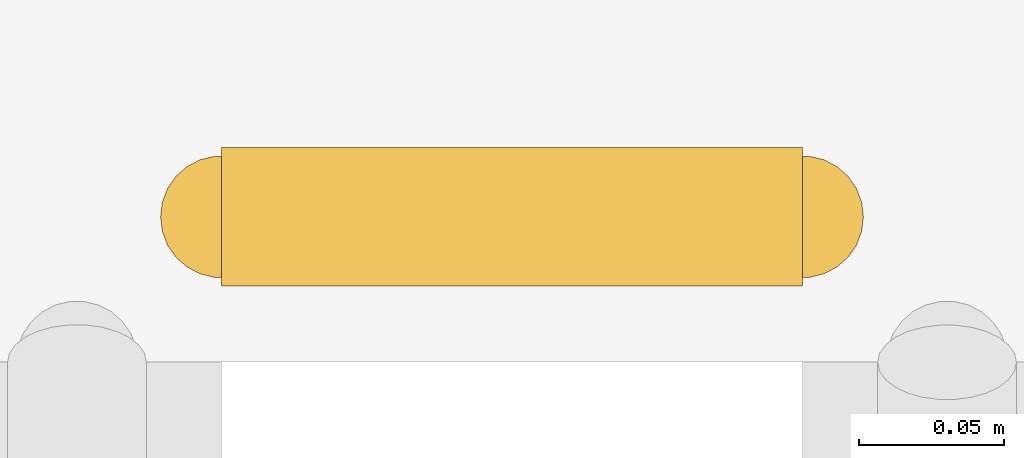
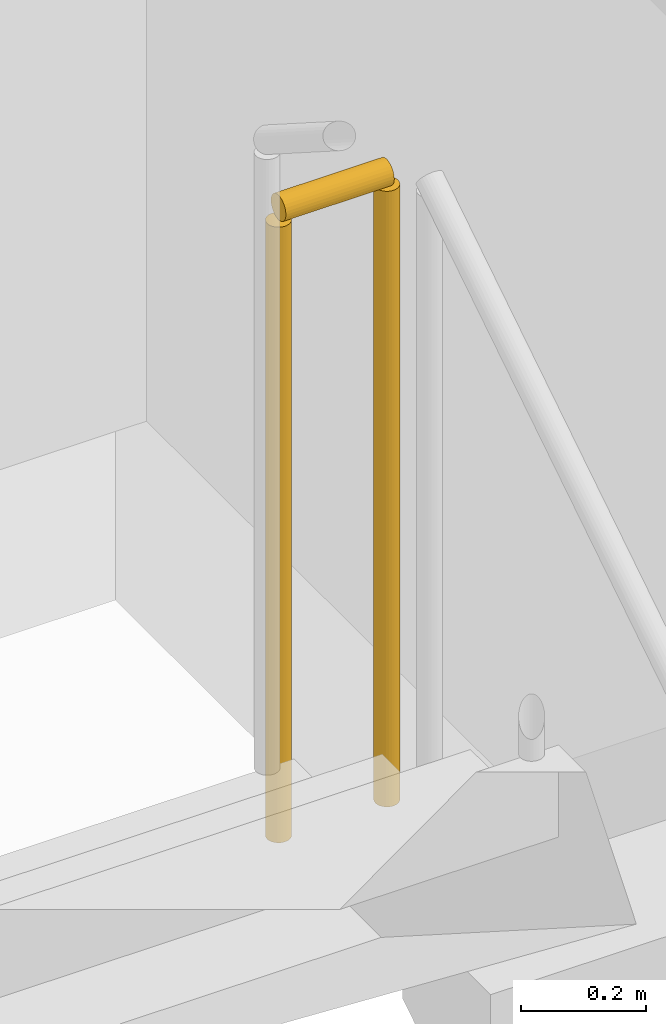
# One storey, part 19 of 19: 1 railing.
"""IFC4 building model written with IfcOpenShell, lengths in metres."""

from ifc_helpers import new_model, si_unit, direction, frame, origin, origin_2d, place, context, subcontext, project, spatial, circle, extrude, material, type_object, element, save


model = new_model("IFC4")

# Units and contexts
model_context = context("Model", 3, precision=1e-05, world=origin(), true_north=direction((0.0, 1.0)))
body_context = subcontext(model_context, "Body", "Model", "MODEL_VIEW")
ifc_project = project(units=[si_unit("LENGTHUNIT", "METRE"), si_unit("AREAUNIT", "SQUARE_METRE"), si_unit("VOLUMEUNIT", "CUBIC_METRE"), si_unit("PLANEANGLEUNIT", "RADIAN"), si_unit("MASSUNIT", "GRAM", prefix="KILO")], contexts=[model_context])

# Site, building, storey
site_placement = place(None, origin())
site = spatial("IfcSite", under=ifc_project, at=site_placement, CompositionType="ELEMENT")
building_placement = place(site_placement, origin())
building = spatial("IfcBuilding", under=site, at=building_placement, Name="Ochreholt Gables", CompositionType="ELEMENT")
storey_placement = place(building_placement, frame((0.0, 0.0, 76.800048828125)))
storey = spatial("IfcBuildingStorey", under=building, at=storey_placement, Name="L19", CompositionType="ELEMENT", Elevation=76.800048828125)

# Railing
ifc_material = material(Name="Painted Steel Stair Guardrail", Category="steel")
railing_type = type_object("IfcRailingType", Name="RL-ST-GUARD", PredefinedType="GUARDRAIL", material=ifc_material)
railing_placement = place(storey_placement, frame((26.60009765625, 35.048095703125, 1.800048828125)))
element("IfcRailing", 1, at=railing_placement, inside=storey, type_object=railing_type, Name="L19 ST-2 stair guard 2", PredefinedType="GUARDRAIL", context=body_context, shape_type="SweptSolid", body=[
    extrude(circle(Radius=0.02392578125, at=origin_2d()), frame((0.0, 0.0, 1.22607421875), z_axis=(-1.0, 0.0, 0.0), x_axis=(0.0, -1.0, 0.0)), (0.0, 0.0, 1.0), 0.2001953125),
    extrude(circle(Radius=0.02099609375, at=origin_2d()), origin(), (0.0, 0.0, 1.0), 1.201904296875),
    extrude(circle(Radius=0.02099609375, at=origin_2d()), frame((-0.2001953125, 0.0, 0.0)), (0.0, 0.0, 1.0), 1.201904296875),
])

save(model, "model.ifc")
